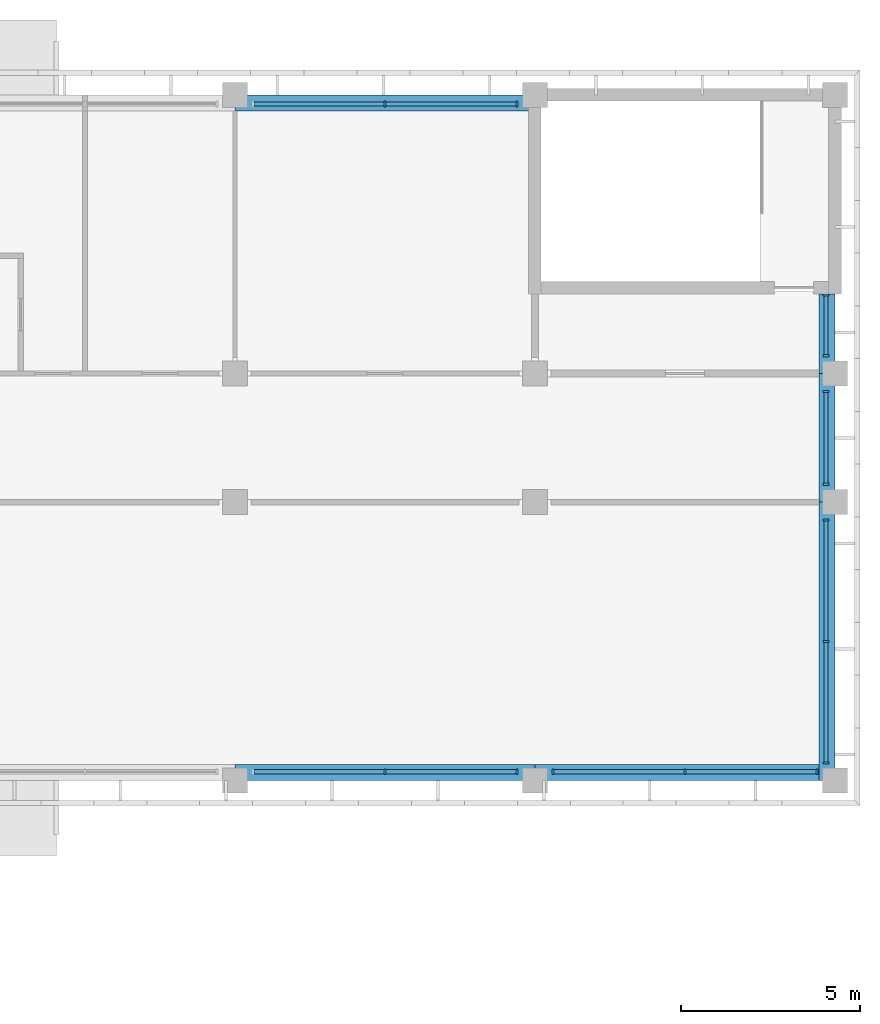
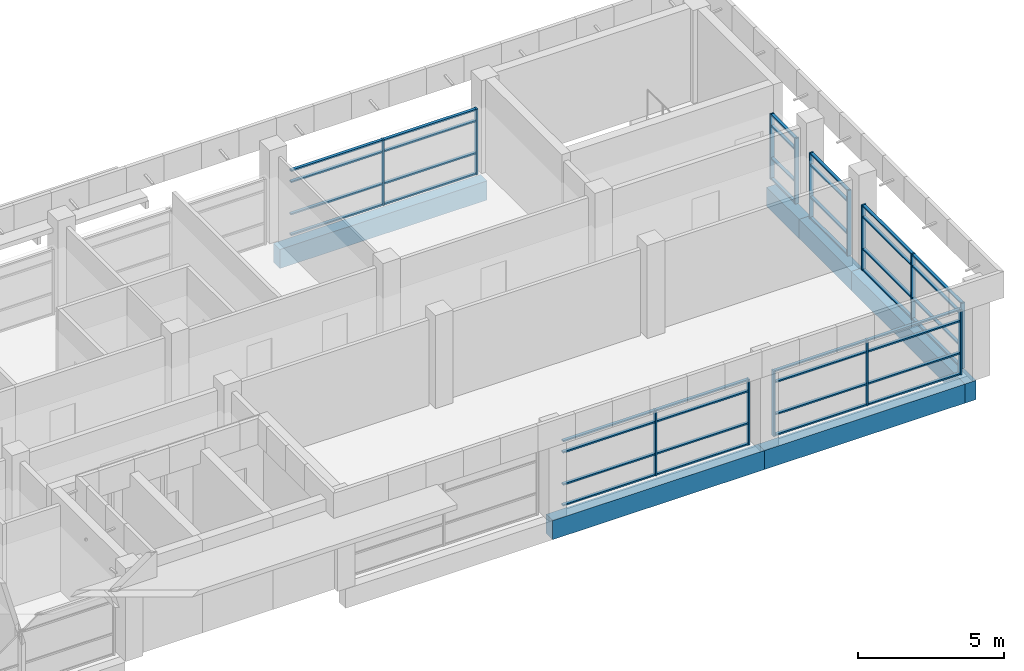
# One storey, part 10 of 36: 54 members, 6 beams, 6 elements without a shape of their own.
"""IFC4 building model written with IfcOpenShell, lengths in metres."""

from ifc_helpers import new_model, si_unit, direction, frame, origin, origin_2d, place, context, subcontext, project, spatial, rectangle, extrude, material, material_profile, profile_set, type_object, element, aggregate, save


model = new_model("IFC4")

# Units and contexts
model_context = context("Model", 3, precision=1e-05, world=origin(), true_north=direction((0.0, 1.0)))
body_context = subcontext(model_context, "Body", "Model", "MODEL_VIEW")
ifc_project = project(units=[si_unit("LENGTHUNIT", "METRE"), si_unit("AREAUNIT", "SQUARE_METRE"), si_unit("VOLUMEUNIT", "CUBIC_METRE"), si_unit("PLANEANGLEUNIT", "RADIAN"), si_unit("MASSUNIT", "GRAM", prefix="KILO")], contexts=[model_context])

# Site, building, storey
site_placement = place(None, origin())
site = spatial("IfcSite", under=ifc_project, at=site_placement, CompositionType="ELEMENT")
building_placement = place(site_placement, origin())
building = spatial("IfcBuilding", under=site, at=building_placement, Name="Bougainvillea Quay General Hospital", CompositionType="ELEMENT")
storey_placement = place(building_placement, frame((0.0, 0.0, 32.699951171875)))
storey = spatial("IfcBuildingStorey", under=building, at=storey_placement, Name="L07", CompositionType="ELEMENT", Elevation=32.699951171875)

# Curtain wall, members
ifc_material_1 = material(Name="Aluminium curtain wall system, powder-coated glazed", Category="aluminium")
curtain_wall_type_1 = type_object("IfcCurtainWallType", Name="Unitised curtain wall CW-3730", PredefinedType="NOTDEFINED", material=ifc_material_1)
curtain_wall_1_placement = place(storey_placement, origin())
curtain_wall_1 = element("IfcCurtainWall", 1, at=curtain_wall_1_placement, inside=storey, type_object=curtain_wall_type_1, Name="CW-4200 00", PredefinedType="NOTDEFINED")
ifc_material_2 = material(Name="Aluminium mullion, powder-coated charcoal", Category="aluminium")
ifc_material_profile_1 = material_profile(ifc_material_2, rectangle(XDim=0.159912109375, YDim=0.06005859375, at=origin_2d()))
ifc_profile_set_1 = profile_set([ifc_material_profile_1], Name="Aluminium mullion, powder-coated charcoal")
member_type_1 = type_object("IfcMemberType", Name="Curtain wall mullion 160x60", PredefinedType="MULLION", material=ifc_profile_set_1)
member_1_placement = place(storey_placement, frame((175.89990234375, 159.35009765625, 0.0), z_axis=(0.0, 0.0, 1.0), x_axis=(0.0, -1.0, 0.0)))
member_1 = element("IfcMember", 2, at=member_1_placement, type_object=member_type_1, Name="CW-4200 mullion 1", PredefinedType="MULLION", context=body_context, shape_type="SweptSolid", body=[
    extrude(rectangle(XDim=0.159912109375, YDim=0.06005859375, at=origin_2d()), origin(), (0.0, 0.0, 1.0), 2.75),
])
member_2_placement = place(storey_placement, frame((172.199951171875, 159.35009765625, 0.0), z_axis=(0.0, 0.0, 1.0), x_axis=(0.0, -1.0, 0.0)))
member_2 = element("IfcMember", 3, at=member_2_placement, type_object=member_type_1, Name="CW-4200 mullion 2", PredefinedType="MULLION", context=body_context, shape_type="SweptSolid", body=[
    extrude(rectangle(XDim=0.159912109375, YDim=0.06005859375, at=origin_2d()), origin(), (0.0, 0.0, 1.0), 2.75),
])

curtain_wall_2_placement = place(storey_placement, origin())
curtain_wall_2 = element("IfcCurtainWall", 4, at=curtain_wall_2_placement, inside=storey, type_object=curtain_wall_type_1, Name="CW-4200 01", PredefinedType="NOTDEFINED")
member_3_placement = place(storey_placement, frame((172.199951171875, 140.64990234375, 0.0), z_axis=(0.0, 0.0, 1.0), x_axis=(0.0, 1.0, 0.0)))
member_3 = element("IfcMember", 5, at=member_3_placement, type_object=member_type_1, Name="CW-4200 mullion 2", PredefinedType="MULLION", context=body_context, shape_type="SweptSolid", body=[
    extrude(rectangle(XDim=0.159912109375, YDim=0.06005859375, at=origin_2d()), origin(), (0.0, 0.0, 1.0), 2.75),
])
member_4_placement = place(storey_placement, frame((175.89990234375, 140.64990234375, 0.0), z_axis=(0.0, 0.0, 1.0), x_axis=(0.0, 1.0, 0.0)))
member_4 = element("IfcMember", 6, at=member_4_placement, type_object=member_type_1, Name="CW-4200 mullion 3", PredefinedType="MULLION", context=body_context, shape_type="SweptSolid", body=[
    extrude(rectangle(XDim=0.159912109375, YDim=0.06005859375, at=origin_2d()), origin(), (0.0, 0.0, 1.0), 2.75),
])

curtain_wall_3_placement = place(storey_placement, origin())
curtain_wall_3 = element("IfcCurtainWall", 7, at=curtain_wall_3_placement, inside=storey, type_object=curtain_wall_type_1, Name="CW-4200 02", PredefinedType="NOTDEFINED")
member_5_placement = place(storey_placement, frame((176.89990234375, 140.64990234375, 0.0), z_axis=(0.0, 0.0, 1.0), x_axis=(0.0, 1.0, 0.0)))
member_5 = element("IfcMember", 8, at=member_5_placement, type_object=member_type_1, Name="CW-4200 mullion 1", PredefinedType="MULLION", context=body_context, shape_type="SweptSolid", body=[
    extrude(rectangle(XDim=0.159912109375, YDim=0.06005859375, at=origin_2d()), origin(), (0.0, 0.0, 1.0), 2.75),
])
member_6_placement = place(storey_placement, frame((180.60009765625, 140.64990234375, 0.0), z_axis=(0.0, 0.0, 1.0), x_axis=(0.0, 1.0, 0.0)))
member_6 = element("IfcMember", 9, at=member_6_placement, type_object=member_type_1, Name="CW-4200 mullion 2", PredefinedType="MULLION", context=body_context, shape_type="SweptSolid", body=[
    extrude(rectangle(XDim=0.159912109375, YDim=0.06005859375, at=origin_2d()), origin(), (0.0, 0.0, 1.0), 2.75),
])
member_7_placement = place(storey_placement, frame((184.300048828125, 140.64990234375, 0.0), z_axis=(0.0, 0.0, 1.0), x_axis=(0.0, 1.0, 0.0)))
member_7 = element("IfcMember", 10, at=member_7_placement, type_object=member_type_1, Name="CW-4200 mullion 3", PredefinedType="MULLION", context=body_context, shape_type="SweptSolid", body=[
    extrude(rectangle(XDim=0.159912109375, YDim=0.06005859375, at=origin_2d()), origin(), (0.0, 0.0, 1.0), 2.75),
])

curtain_wall_type_2 = type_object("IfcCurtainWallType", Name="Unitised curtain wall CW-3430", PredefinedType="NOTDEFINED", material=ifc_material_1)
curtain_wall_4_placement = place(storey_placement, origin())
curtain_wall_4 = element("IfcCurtainWall", 11, at=curtain_wall_4_placement, inside=storey, type_object=curtain_wall_type_2, Name="CW-4200 00", PredefinedType="NOTDEFINED")
member_8_placement = place(storey_placement, frame((184.550048828125, 140.89990234375, 0.0), z_axis=(0.0, 0.0, 1.0), x_axis=(-1.0, 0.0, 0.0)))
member_8 = element("IfcMember", 12, at=member_8_placement, type_object=member_type_1, Name="CW-4200 mullion 1", PredefinedType="MULLION", context=body_context, shape_type="SweptSolid", body=[
    extrude(rectangle(XDim=0.159912109375, YDim=0.06005859375, at=origin_2d()), origin(), (0.0, 0.0, 1.0), 2.75),
])
member_9_placement = place(storey_placement, frame((184.550048828125, 144.300048828125, 0.0), z_axis=(0.0, 0.0, 1.0), x_axis=(-1.0, 0.0, 0.0)))
member_9 = element("IfcMember", 13, at=member_9_placement, type_object=member_type_1, Name="CW-4200 mullion 2", PredefinedType="MULLION", context=body_context, shape_type="SweptSolid", body=[
    extrude(rectangle(XDim=0.159912109375, YDim=0.06005859375, at=origin_2d()), origin(), (0.0, 0.0, 1.0), 2.75),
])
member_10_placement = place(storey_placement, frame((184.550048828125, 147.699951171875, 0.0), z_axis=(0.0, 0.0, 1.0), x_axis=(-1.0, 0.0, 0.0)))
member_10 = element("IfcMember", 14, at=member_10_placement, type_object=member_type_1, Name="CW-4200 mullion 3", PredefinedType="MULLION", context=body_context, shape_type="SweptSolid", body=[
    extrude(rectangle(XDim=0.159912109375, YDim=0.06005859375, at=origin_2d()), origin(), (0.0, 0.0, 1.0), 2.75),
])

curtain_wall_type_3 = type_object("IfcCurtainWallType", Name="Unitised curtain wall CW-2660", PredefinedType="NOTDEFINED", material=ifc_material_1)
curtain_wall_5_placement = place(storey_placement, origin())
curtain_wall_5 = element("IfcCurtainWall", 15, at=curtain_wall_5_placement, inside=storey, type_object=curtain_wall_type_3, Name="CW-4200 01", PredefinedType="NOTDEFINED")
member_11_placement = place(storey_placement, frame((184.550048828125, 148.699951171875, 0.0), z_axis=(0.0, 0.0, 1.0), x_axis=(-1.0, 0.0, 0.0)))
member_11 = element("IfcMember", 16, at=member_11_placement, type_object=member_type_1, Name="CW-4200 mullion 1", PredefinedType="MULLION", context=body_context, shape_type="SweptSolid", body=[
    extrude(rectangle(XDim=0.159912109375, YDim=0.06005859375, at=origin_2d()), origin(), (0.0, 0.0, 1.0), 2.75),
])
member_12_placement = place(storey_placement, frame((184.550048828125, 151.300048828125, 0.0), z_axis=(0.0, 0.0, 1.0), x_axis=(-1.0, 0.0, 0.0)))
member_12 = element("IfcMember", 17, at=member_12_placement, type_object=member_type_1, Name="CW-4200 mullion 2", PredefinedType="MULLION", context=body_context, shape_type="SweptSolid", body=[
    extrude(rectangle(XDim=0.159912109375, YDim=0.06005859375, at=origin_2d()), origin(), (0.0, 0.0, 1.0), 2.75),
])

curtain_wall_type_4 = type_object("IfcCurtainWallType", Name="Unitised curtain wall CW-1755", PredefinedType="NOTDEFINED", material=ifc_material_1)
curtain_wall_6_placement = place(storey_placement, origin())
curtain_wall_6 = element("IfcCurtainWall", 18, at=curtain_wall_6_placement, inside=storey, type_object=curtain_wall_type_4, Name="CW-4200 02", PredefinedType="NOTDEFINED")
member_13_placement = place(storey_placement, frame((184.550048828125, 152.300048828125, 0.0), z_axis=(0.0, 0.0, 1.0), x_axis=(-1.0, 0.0, 0.0)))
member_13 = element("IfcMember", 19, at=member_13_placement, type_object=member_type_1, Name="CW-4200 mullion 1", PredefinedType="MULLION", context=body_context, shape_type="SweptSolid", body=[
    extrude(rectangle(XDim=0.159912109375, YDim=0.06005859375, at=origin_2d()), origin(), (0.0, 0.0, 1.0), 2.75),
])
member_14_placement = place(storey_placement, frame((184.550048828125, 153.9951171875, 0.0), z_axis=(0.0, 0.0, 1.0), x_axis=(-1.0, 0.0, 0.0)))
member_14 = element("IfcMember", 20, at=member_14_placement, type_object=member_type_1, Name="CW-4200 mullion 2", PredefinedType="MULLION", context=body_context, shape_type="SweptSolid", body=[
    extrude(rectangle(XDim=0.159912109375, YDim=0.06005859375, at=origin_2d()), origin(), (0.0, 0.0, 1.0), 2.75),
])

# Member
ifc_material_3 = material(Name="Aluminium transom, powder-coated charcoal", Category="aluminium")
ifc_material_profile_2 = material_profile(ifc_material_3, rectangle(XDim=0.1201171875, YDim=0.06005859375, at=origin_2d()))
ifc_profile_set_2 = profile_set([ifc_material_profile_2], Name="Aluminium transom, powder-coated charcoal")
member_type_2 = type_object("IfcMemberType", Name="Curtain wall transom 120x60", PredefinedType="USERDEFINED", material=ifc_profile_set_2)
member_15_placement = place(storey_placement, frame((175.8701171875, 159.35009765625, 0.030029296875), z_axis=(-1.0, 0.0, 0.0), x_axis=(0.0, -1.0, 0.0)))
member_15 = element("IfcMember", 21, at=member_15_placement, type_object=member_type_2, Name="CW-4200 transom 1.1", ObjectType="TRANSOM", PredefinedType="USERDEFINED", context=body_context, shape_type="SweptSolid", body=[
    extrude(rectangle(XDim=0.1201171875, YDim=0.06005859375, at=origin_2d()), origin(), (0.0, 0.0, 1.0), 3.64013671875),
])

member_16_placement = place(storey_placement, frame((175.8701171875, 159.35009765625, 0.900146484375), z_axis=(-1.0, 0.0, 0.0), x_axis=(0.0, -1.0, 0.0)))
member_16 = element("IfcMember", 22, at=member_16_placement, type_object=member_type_2, Name="CW-4200 transom 1.2", ObjectType="TRANSOM", PredefinedType="USERDEFINED", context=body_context, shape_type="SweptSolid", body=[
    extrude(rectangle(XDim=0.1201171875, YDim=0.06005859375, at=origin_2d()), origin(), (0.0, 0.0, 1.0), 3.64013671875),
])

member_17_placement = place(storey_placement, frame((175.8701171875, 159.35009765625, 2.25), z_axis=(-1.0, 0.0, 0.0), x_axis=(0.0, -1.0, 0.0)))
member_17 = element("IfcMember", 23, at=member_17_placement, type_object=member_type_2, Name="CW-4200 transom 1.3", ObjectType="TRANSOM", PredefinedType="USERDEFINED", context=body_context, shape_type="SweptSolid", body=[
    extrude(rectangle(XDim=0.1201171875, YDim=0.06005859375, at=origin_2d()), origin(), (0.0, 0.0, 1.0), 3.64013671875),
])

member_18_placement = place(storey_placement, frame((175.8701171875, 159.35009765625, 2.719970703125), z_axis=(-1.0, 0.0, 0.0), x_axis=(0.0, -1.0, 0.0)))
member_18 = element("IfcMember", 24, at=member_18_placement, type_object=member_type_2, Name="CW-4200 transom 1.4", ObjectType="TRANSOM", PredefinedType="USERDEFINED", context=body_context, shape_type="SweptSolid", body=[
    extrude(rectangle(XDim=0.1201171875, YDim=0.06005859375, at=origin_2d()), origin(), (0.0, 0.0, 1.0), 3.64013671875),
])

member_19_placement = place(storey_placement, frame((172.169921875, 159.35009765625, 0.030029296875), z_axis=(-1.0, 0.0, 0.0), x_axis=(0.0, -1.0, 0.0)))
member_19 = element("IfcMember", 25, at=member_19_placement, type_object=member_type_2, Name="CW-4200 transom 2.1", ObjectType="TRANSOM", PredefinedType="USERDEFINED", context=body_context, shape_type="SweptSolid", body=[
    extrude(rectangle(XDim=0.1201171875, YDim=0.06005859375, at=origin_2d()), origin(), (0.0, 0.0, 1.0), 3.639892578125),
])

member_20_placement = place(storey_placement, frame((172.169921875, 159.35009765625, 0.900146484375), z_axis=(-1.0, 0.0, 0.0), x_axis=(0.0, -1.0, 0.0)))
member_20 = element("IfcMember", 26, at=member_20_placement, type_object=member_type_2, Name="CW-4200 transom 2.2", ObjectType="TRANSOM", PredefinedType="USERDEFINED", context=body_context, shape_type="SweptSolid", body=[
    extrude(rectangle(XDim=0.1201171875, YDim=0.06005859375, at=origin_2d()), origin(), (0.0, 0.0, 1.0), 3.639892578125),
])

member_21_placement = place(storey_placement, frame((172.169921875, 159.35009765625, 2.25), z_axis=(-1.0, 0.0, 0.0), x_axis=(0.0, -1.0, 0.0)))
member_21 = element("IfcMember", 27, at=member_21_placement, type_object=member_type_2, Name="CW-4200 transom 2.3", ObjectType="TRANSOM", PredefinedType="USERDEFINED", context=body_context, shape_type="SweptSolid", body=[
    extrude(rectangle(XDim=0.1201171875, YDim=0.06005859375, at=origin_2d()), origin(), (0.0, 0.0, 1.0), 3.639892578125),
])

member_22_placement = place(storey_placement, frame((172.169921875, 159.35009765625, 2.719970703125), z_axis=(-1.0, 0.0, 0.0), x_axis=(0.0, -1.0, 0.0)))
member_22 = element("IfcMember", 28, at=member_22_placement, type_object=member_type_2, Name="CW-4200 transom 2.4", ObjectType="TRANSOM", PredefinedType="USERDEFINED", context=body_context, shape_type="SweptSolid", body=[
    extrude(rectangle(XDim=0.1201171875, YDim=0.06005859375, at=origin_2d()), origin(), (0.0, 0.0, 1.0), 3.639892578125),
])

aggregate(curtain_wall_1, [member_1, member_2, member_15, member_16, member_17, member_18, member_19, member_20, member_21, member_22])

member_23_placement = place(storey_placement, frame((168.530029296875, 140.64990234375, 0.030029296875), z_axis=(1.0, 0.0, 0.0), x_axis=(0.0, 1.0, 0.0)))
member_23 = element("IfcMember", 29, at=member_23_placement, type_object=member_type_2, Name="CW-4200 transom 1.1", ObjectType="TRANSOM", PredefinedType="USERDEFINED", context=body_context, shape_type="SweptSolid", body=[
    extrude(rectangle(XDim=0.1201171875, YDim=0.06005859375, at=origin_2d()), origin(), (0.0, 0.0, 1.0), 3.639892578125),
])

member_24_placement = place(storey_placement, frame((168.530029296875, 140.64990234375, 0.900146484375), z_axis=(1.0, 0.0, 0.0), x_axis=(0.0, 1.0, 0.0)))
member_24 = element("IfcMember", 30, at=member_24_placement, type_object=member_type_2, Name="CW-4200 transom 1.2", ObjectType="TRANSOM", PredefinedType="USERDEFINED", context=body_context, shape_type="SweptSolid", body=[
    extrude(rectangle(XDim=0.1201171875, YDim=0.06005859375, at=origin_2d()), origin(), (0.0, 0.0, 1.0), 3.639892578125),
])

member_25_placement = place(storey_placement, frame((168.530029296875, 140.64990234375, 2.25), z_axis=(1.0, 0.0, 0.0), x_axis=(0.0, 1.0, 0.0)))
member_25 = element("IfcMember", 31, at=member_25_placement, type_object=member_type_2, Name="CW-4200 transom 1.3", ObjectType="TRANSOM", PredefinedType="USERDEFINED", context=body_context, shape_type="SweptSolid", body=[
    extrude(rectangle(XDim=0.1201171875, YDim=0.06005859375, at=origin_2d()), origin(), (0.0, 0.0, 1.0), 3.639892578125),
])

member_26_placement = place(storey_placement, frame((168.530029296875, 140.64990234375, 2.719970703125), z_axis=(1.0, 0.0, 0.0), x_axis=(0.0, 1.0, 0.0)))
member_26 = element("IfcMember", 32, at=member_26_placement, type_object=member_type_2, Name="CW-4200 transom 1.4", ObjectType="TRANSOM", PredefinedType="USERDEFINED", context=body_context, shape_type="SweptSolid", body=[
    extrude(rectangle(XDim=0.1201171875, YDim=0.06005859375, at=origin_2d()), origin(), (0.0, 0.0, 1.0), 3.639892578125),
])

member_27_placement = place(storey_placement, frame((172.22998046875, 140.64990234375, 0.030029296875), z_axis=(1.0, 0.0, 0.0), x_axis=(0.0, 1.0, 0.0)))
member_27 = element("IfcMember", 33, at=member_27_placement, type_object=member_type_2, Name="CW-4200 transom 2.1", ObjectType="TRANSOM", PredefinedType="USERDEFINED", context=body_context, shape_type="SweptSolid", body=[
    extrude(rectangle(XDim=0.1201171875, YDim=0.06005859375, at=origin_2d()), origin(), (0.0, 0.0, 1.0), 3.64013671875),
])

member_28_placement = place(storey_placement, frame((172.22998046875, 140.64990234375, 0.900146484375), z_axis=(1.0, 0.0, 0.0), x_axis=(0.0, 1.0, 0.0)))
member_28 = element("IfcMember", 34, at=member_28_placement, type_object=member_type_2, Name="CW-4200 transom 2.2", ObjectType="TRANSOM", PredefinedType="USERDEFINED", context=body_context, shape_type="SweptSolid", body=[
    extrude(rectangle(XDim=0.1201171875, YDim=0.06005859375, at=origin_2d()), origin(), (0.0, 0.0, 1.0), 3.64013671875),
])

member_29_placement = place(storey_placement, frame((172.22998046875, 140.64990234375, 2.25), z_axis=(1.0, 0.0, 0.0), x_axis=(0.0, 1.0, 0.0)))
member_29 = element("IfcMember", 35, at=member_29_placement, type_object=member_type_2, Name="CW-4200 transom 2.3", ObjectType="TRANSOM", PredefinedType="USERDEFINED", context=body_context, shape_type="SweptSolid", body=[
    extrude(rectangle(XDim=0.1201171875, YDim=0.06005859375, at=origin_2d()), origin(), (0.0, 0.0, 1.0), 3.64013671875),
])

member_30_placement = place(storey_placement, frame((172.22998046875, 140.64990234375, 2.719970703125), z_axis=(1.0, 0.0, 0.0), x_axis=(0.0, 1.0, 0.0)))
member_30 = element("IfcMember", 36, at=member_30_placement, type_object=member_type_2, Name="CW-4200 transom 2.4", ObjectType="TRANSOM", PredefinedType="USERDEFINED", context=body_context, shape_type="SweptSolid", body=[
    extrude(rectangle(XDim=0.1201171875, YDim=0.06005859375, at=origin_2d()), origin(), (0.0, 0.0, 1.0), 3.64013671875),
])

aggregate(curtain_wall_2, [member_3, member_4, member_23, member_24, member_25, member_26, member_27, member_28, member_29, member_30])

member_31_placement = place(storey_placement, frame((176.929931640625, 140.64990234375, 0.030029296875), z_axis=(1.0, 0.0, 0.0), x_axis=(0.0, 1.0, 0.0)))
member_31 = element("IfcMember", 37, at=member_31_placement, type_object=member_type_2, Name="CW-4200 transom 1.1", ObjectType="TRANSOM", PredefinedType="USERDEFINED", context=body_context, shape_type="SweptSolid", body=[
    extrude(rectangle(XDim=0.1201171875, YDim=0.06005859375, at=origin_2d()), origin(), (0.0, 0.0, 1.0), 3.64013671875),
])

member_32_placement = place(storey_placement, frame((176.929931640625, 140.64990234375, 0.900146484375), z_axis=(1.0, 0.0, 0.0), x_axis=(0.0, 1.0, 0.0)))
member_32 = element("IfcMember", 38, at=member_32_placement, type_object=member_type_2, Name="CW-4200 transom 1.2", ObjectType="TRANSOM", PredefinedType="USERDEFINED", context=body_context, shape_type="SweptSolid", body=[
    extrude(rectangle(XDim=0.1201171875, YDim=0.06005859375, at=origin_2d()), origin(), (0.0, 0.0, 1.0), 3.64013671875),
])

member_33_placement = place(storey_placement, frame((176.929931640625, 140.64990234375, 2.25), z_axis=(1.0, 0.0, 0.0), x_axis=(0.0, 1.0, 0.0)))
member_33 = element("IfcMember", 39, at=member_33_placement, type_object=member_type_2, Name="CW-4200 transom 1.3", ObjectType="TRANSOM", PredefinedType="USERDEFINED", context=body_context, shape_type="SweptSolid", body=[
    extrude(rectangle(XDim=0.1201171875, YDim=0.06005859375, at=origin_2d()), origin(), (0.0, 0.0, 1.0), 3.64013671875),
])

member_34_placement = place(storey_placement, frame((176.929931640625, 140.64990234375, 2.719970703125), z_axis=(1.0, 0.0, 0.0), x_axis=(0.0, 1.0, 0.0)))
member_34 = element("IfcMember", 40, at=member_34_placement, type_object=member_type_2, Name="CW-4200 transom 1.4", ObjectType="TRANSOM", PredefinedType="USERDEFINED", context=body_context, shape_type="SweptSolid", body=[
    extrude(rectangle(XDim=0.1201171875, YDim=0.06005859375, at=origin_2d()), origin(), (0.0, 0.0, 1.0), 3.64013671875),
])

member_35_placement = place(storey_placement, frame((180.6298828125, 140.64990234375, 0.030029296875), z_axis=(1.0, 0.0, 0.0), x_axis=(0.0, 1.0, 0.0)))
member_35 = element("IfcMember", 41, at=member_35_placement, type_object=member_type_2, Name="CW-4200 transom 2.1", ObjectType="TRANSOM", PredefinedType="USERDEFINED", context=body_context, shape_type="SweptSolid", body=[
    extrude(rectangle(XDim=0.1201171875, YDim=0.06005859375, at=origin_2d()), origin(), (0.0, 0.0, 1.0), 3.64013671875),
])

member_36_placement = place(storey_placement, frame((180.6298828125, 140.64990234375, 0.900146484375), z_axis=(1.0, 0.0, 0.0), x_axis=(0.0, 1.0, 0.0)))
member_36 = element("IfcMember", 42, at=member_36_placement, type_object=member_type_2, Name="CW-4200 transom 2.2", ObjectType="TRANSOM", PredefinedType="USERDEFINED", context=body_context, shape_type="SweptSolid", body=[
    extrude(rectangle(XDim=0.1201171875, YDim=0.06005859375, at=origin_2d()), origin(), (0.0, 0.0, 1.0), 3.64013671875),
])

member_37_placement = place(storey_placement, frame((180.6298828125, 140.64990234375, 2.25), z_axis=(1.0, 0.0, 0.0), x_axis=(0.0, 1.0, 0.0)))
member_37 = element("IfcMember", 43, at=member_37_placement, type_object=member_type_2, Name="CW-4200 transom 2.3", ObjectType="TRANSOM", PredefinedType="USERDEFINED", context=body_context, shape_type="SweptSolid", body=[
    extrude(rectangle(XDim=0.1201171875, YDim=0.06005859375, at=origin_2d()), origin(), (0.0, 0.0, 1.0), 3.64013671875),
])

member_38_placement = place(storey_placement, frame((180.6298828125, 140.64990234375, 2.719970703125), z_axis=(1.0, 0.0, 0.0), x_axis=(0.0, 1.0, 0.0)))
member_38 = element("IfcMember", 44, at=member_38_placement, type_object=member_type_2, Name="CW-4200 transom 2.4", ObjectType="TRANSOM", PredefinedType="USERDEFINED", context=body_context, shape_type="SweptSolid", body=[
    extrude(rectangle(XDim=0.1201171875, YDim=0.06005859375, at=origin_2d()), origin(), (0.0, 0.0, 1.0), 3.64013671875),
])

aggregate(curtain_wall_3, [member_5, member_6, member_7, member_31, member_32, member_33, member_34, member_35, member_36, member_37, member_38])

member_39_placement = place(storey_placement, frame((184.550048828125, 140.929931640625, 0.030029296875), z_axis=(0.0, 1.0, 0.0), x_axis=(-1.0, 0.0, 0.0)))
member_39 = element("IfcMember", 45, at=member_39_placement, type_object=member_type_2, Name="CW-4200 transom 1.1", ObjectType="TRANSOM", PredefinedType="USERDEFINED", context=body_context, shape_type="SweptSolid", body=[
    extrude(rectangle(XDim=0.1201171875, YDim=0.06005859375, at=origin_2d()), origin(), (0.0, 0.0, 1.0), 3.340087890625),
])

member_40_placement = place(storey_placement, frame((184.550048828125, 140.929931640625, 0.900146484375), z_axis=(0.0, 1.0, 0.0), x_axis=(-1.0, 0.0, 0.0)))
member_40 = element("IfcMember", 46, at=member_40_placement, type_object=member_type_2, Name="CW-4200 transom 1.2", ObjectType="TRANSOM", PredefinedType="USERDEFINED", context=body_context, shape_type="SweptSolid", body=[
    extrude(rectangle(XDim=0.1201171875, YDim=0.06005859375, at=origin_2d()), origin(), (0.0, 0.0, 1.0), 3.340087890625),
])

member_41_placement = place(storey_placement, frame((184.550048828125, 140.929931640625, 2.25), z_axis=(0.0, 1.0, 0.0), x_axis=(-1.0, 0.0, 0.0)))
member_41 = element("IfcMember", 47, at=member_41_placement, type_object=member_type_2, Name="CW-4200 transom 1.3", ObjectType="TRANSOM", PredefinedType="USERDEFINED", context=body_context, shape_type="SweptSolid", body=[
    extrude(rectangle(XDim=0.1201171875, YDim=0.06005859375, at=origin_2d()), origin(), (0.0, 0.0, 1.0), 3.340087890625),
])

member_42_placement = place(storey_placement, frame((184.550048828125, 140.929931640625, 2.719970703125), z_axis=(0.0, 1.0, 0.0), x_axis=(-1.0, 0.0, 0.0)))
member_42 = element("IfcMember", 48, at=member_42_placement, type_object=member_type_2, Name="CW-4200 transom 1.4", ObjectType="TRANSOM", PredefinedType="USERDEFINED", context=body_context, shape_type="SweptSolid", body=[
    extrude(rectangle(XDim=0.1201171875, YDim=0.06005859375, at=origin_2d()), origin(), (0.0, 0.0, 1.0), 3.340087890625),
])

member_43_placement = place(storey_placement, frame((184.550048828125, 144.330078125, 0.030029296875), z_axis=(0.0, 1.0, 0.0), x_axis=(-1.0, 0.0, 0.0)))
member_43 = element("IfcMember", 49, at=member_43_placement, type_object=member_type_2, Name="CW-4200 transom 2.1", ObjectType="TRANSOM", PredefinedType="USERDEFINED", context=body_context, shape_type="SweptSolid", body=[
    extrude(rectangle(XDim=0.1201171875, YDim=0.06005859375, at=origin_2d()), origin(), (0.0, 0.0, 1.0), 3.33984375),
])

member_44_placement = place(storey_placement, frame((184.550048828125, 144.330078125, 0.900146484375), z_axis=(0.0, 1.0, 0.0), x_axis=(-1.0, 0.0, 0.0)))
member_44 = element("IfcMember", 50, at=member_44_placement, type_object=member_type_2, Name="CW-4200 transom 2.2", ObjectType="TRANSOM", PredefinedType="USERDEFINED", context=body_context, shape_type="SweptSolid", body=[
    extrude(rectangle(XDim=0.1201171875, YDim=0.06005859375, at=origin_2d()), origin(), (0.0, 0.0, 1.0), 3.33984375),
])

member_45_placement = place(storey_placement, frame((184.550048828125, 144.330078125, 2.25), z_axis=(0.0, 1.0, 0.0), x_axis=(-1.0, 0.0, 0.0)))
member_45 = element("IfcMember", 51, at=member_45_placement, type_object=member_type_2, Name="CW-4200 transom 2.3", ObjectType="TRANSOM", PredefinedType="USERDEFINED", context=body_context, shape_type="SweptSolid", body=[
    extrude(rectangle(XDim=0.1201171875, YDim=0.06005859375, at=origin_2d()), origin(), (0.0, 0.0, 1.0), 3.33984375),
])

member_46_placement = place(storey_placement, frame((184.550048828125, 144.330078125, 2.719970703125), z_axis=(0.0, 1.0, 0.0), x_axis=(-1.0, 0.0, 0.0)))
member_46 = element("IfcMember", 52, at=member_46_placement, type_object=member_type_2, Name="CW-4200 transom 2.4", ObjectType="TRANSOM", PredefinedType="USERDEFINED", context=body_context, shape_type="SweptSolid", body=[
    extrude(rectangle(XDim=0.1201171875, YDim=0.06005859375, at=origin_2d()), origin(), (0.0, 0.0, 1.0), 3.33984375),
])

aggregate(curtain_wall_4, [member_8, member_9, member_10, member_39, member_40, member_41, member_42, member_43, member_44, member_45, member_46])

member_47_placement = place(storey_placement, frame((184.550048828125, 148.72998046875, 0.030029296875), z_axis=(0.0, 1.0, 0.0), x_axis=(-1.0, 0.0, 0.0)))
member_47 = element("IfcMember", 53, at=member_47_placement, type_object=member_type_2, Name="CW-4200 transom 1.1", ObjectType="TRANSOM", PredefinedType="USERDEFINED", context=body_context, shape_type="SweptSolid", body=[
    extrude(rectangle(XDim=0.1201171875, YDim=0.06005859375, at=origin_2d()), origin(), (0.0, 0.0, 1.0), 2.5400390625),
])

member_48_placement = place(storey_placement, frame((184.550048828125, 148.72998046875, 0.900146484375), z_axis=(0.0, 1.0, 0.0), x_axis=(-1.0, 0.0, 0.0)))
member_48 = element("IfcMember", 54, at=member_48_placement, type_object=member_type_2, Name="CW-4200 transom 1.2", ObjectType="TRANSOM", PredefinedType="USERDEFINED", context=body_context, shape_type="SweptSolid", body=[
    extrude(rectangle(XDim=0.1201171875, YDim=0.06005859375, at=origin_2d()), origin(), (0.0, 0.0, 1.0), 2.5400390625),
])

member_49_placement = place(storey_placement, frame((184.550048828125, 148.72998046875, 2.25), z_axis=(0.0, 1.0, 0.0), x_axis=(-1.0, 0.0, 0.0)))
member_49 = element("IfcMember", 55, at=member_49_placement, type_object=member_type_2, Name="CW-4200 transom 1.3", ObjectType="TRANSOM", PredefinedType="USERDEFINED", context=body_context, shape_type="SweptSolid", body=[
    extrude(rectangle(XDim=0.1201171875, YDim=0.06005859375, at=origin_2d()), origin(), (0.0, 0.0, 1.0), 2.5400390625),
])

member_50_placement = place(storey_placement, frame((184.550048828125, 148.72998046875, 2.719970703125), z_axis=(0.0, 1.0, 0.0), x_axis=(-1.0, 0.0, 0.0)))
member_50 = element("IfcMember", 56, at=member_50_placement, type_object=member_type_2, Name="CW-4200 transom 1.4", ObjectType="TRANSOM", PredefinedType="USERDEFINED", context=body_context, shape_type="SweptSolid", body=[
    extrude(rectangle(XDim=0.1201171875, YDim=0.06005859375, at=origin_2d()), origin(), (0.0, 0.0, 1.0), 2.5400390625),
])

aggregate(curtain_wall_5, [member_11, member_12, member_47, member_48, member_49, member_50])

member_51_placement = place(storey_placement, frame((184.550048828125, 152.330078125, 0.030029296875), z_axis=(0.0, 1.0, 0.0), x_axis=(-1.0, 0.0, 0.0)))
member_51 = element("IfcMember", 57, at=member_51_placement, type_object=member_type_2, Name="CW-4200 transom 1.1", ObjectType="TRANSOM", PredefinedType="USERDEFINED", context=body_context, shape_type="SweptSolid", body=[
    extrude(rectangle(XDim=0.1201171875, YDim=0.06005859375, at=origin_2d()), origin(), (0.0, 0.0, 1.0), 1.635009765625),
])

member_52_placement = place(storey_placement, frame((184.550048828125, 152.330078125, 0.900146484375), z_axis=(0.0, 1.0, 0.0), x_axis=(-1.0, 0.0, 0.0)))
member_52 = element("IfcMember", 58, at=member_52_placement, type_object=member_type_2, Name="CW-4200 transom 1.2", ObjectType="TRANSOM", PredefinedType="USERDEFINED", context=body_context, shape_type="SweptSolid", body=[
    extrude(rectangle(XDim=0.1201171875, YDim=0.06005859375, at=origin_2d()), origin(), (0.0, 0.0, 1.0), 1.635009765625),
])

member_53_placement = place(storey_placement, frame((184.550048828125, 152.330078125, 2.25), z_axis=(0.0, 1.0, 0.0), x_axis=(-1.0, 0.0, 0.0)))
member_53 = element("IfcMember", 59, at=member_53_placement, type_object=member_type_2, Name="CW-4200 transom 1.3", ObjectType="TRANSOM", PredefinedType="USERDEFINED", context=body_context, shape_type="SweptSolid", body=[
    extrude(rectangle(XDim=0.1201171875, YDim=0.06005859375, at=origin_2d()), origin(), (0.0, 0.0, 1.0), 1.635009765625),
])

member_54_placement = place(storey_placement, frame((184.550048828125, 152.330078125, 2.719970703125), z_axis=(0.0, 1.0, 0.0), x_axis=(-1.0, 0.0, 0.0)))
member_54 = element("IfcMember", 60, at=member_54_placement, type_object=member_type_2, Name="CW-4200 transom 1.4", ObjectType="TRANSOM", PredefinedType="USERDEFINED", context=body_context, shape_type="SweptSolid", body=[
    extrude(rectangle(XDim=0.1201171875, YDim=0.06005859375, at=origin_2d()), origin(), (0.0, 0.0, 1.0), 1.635009765625),
])

aggregate(curtain_wall_6, [member_13, member_14, member_51, member_52, member_53, member_54])

# Beams
ifc_material_4 = material(Name="Concrete C40", Category="concrete")
ifc_material_profile_3 = material_profile(ifc_material_4, rectangle(XDim=0.449951171875, YDim=0.800048828125, at=origin_2d()))
ifc_profile_set_3 = profile_set([ifc_material_profile_3], Name="Concrete C40")
beam_type = type_object("IfcBeamType", Name="RC BEAM 450x800 C40", PredefinedType="BEAM", material=ifc_profile_set_3)
beam_1_placement = place(storey_placement, frame((176.22509765625, 159.375, -0.699951171875), z_axis=(-1.0, 0.0, 0.0), x_axis=(0.0, -1.0, 0.0)))
element("IfcBeam", 61, at=beam_1_placement, inside=storey, type_object=beam_type, Name="Edge beam L07", PredefinedType="BEAM", context=body_context, shape_type="SweptSolid", body=[
    extrude(rectangle(XDim=0.449951171875, YDim=0.800048828125, at=origin_2d()), origin(), (0.0, 0.0, 1.0), 8.22509765625),
])
beam_2_placement = place(storey_placement, frame((168.0, 140.625, -0.699951171875), z_axis=(1.0, 0.0, 0.0), x_axis=(0.0, 1.0, 0.0)))
element("IfcBeam", 62, at=beam_2_placement, inside=storey, type_object=beam_type, Name="Edge beam L07", PredefinedType="BEAM", context=body_context, shape_type="SweptSolid", body=[
    extrude(rectangle(XDim=0.449951171875, YDim=0.800048828125, at=origin_2d()), origin(), (0.0, 0.0, 1.0), 8.39990234375),
])
beam_3_placement = place(storey_placement, frame((176.39990234375, 140.625, -0.699951171875), z_axis=(1.0, 0.0, 0.0), x_axis=(0.0, 1.0, 0.0)))
element("IfcBeam", 63, at=beam_3_placement, inside=storey, type_object=beam_type, Name="Edge beam L07", PredefinedType="BEAM", context=body_context, shape_type="SweptSolid", body=[
    extrude(rectangle(XDim=0.449951171875, YDim=0.800048828125, at=origin_2d()), origin(), (0.0, 0.0, 1.0), 8.400146484375),
])
beam_4_placement = place(storey_placement, frame((184.574951171875, 140.39990234375, -0.699951171875), z_axis=(0.0, 1.0, 0.0), x_axis=(-1.0, 0.0, 0.0)))
element("IfcBeam", 64, at=beam_4_placement, inside=storey, type_object=beam_type, Name="Edge beam L07", PredefinedType="BEAM", context=body_context, shape_type="SweptSolid", body=[
    extrude(rectangle(XDim=0.449951171875, YDim=0.800048828125, at=origin_2d()), origin(), (0.0, 0.0, 1.0), 7.800048828125),
])
beam_5_placement = place(storey_placement, frame((184.574951171875, 148.199951171875, -0.699951171875), z_axis=(0.0, 1.0, 0.0), x_axis=(-1.0, 0.0, 0.0)))
element("IfcBeam", 65, at=beam_5_placement, inside=storey, type_object=beam_type, Name="Edge beam L07", PredefinedType="BEAM", context=body_context, shape_type="SweptSolid", body=[
    extrude(rectangle(XDim=0.449951171875, YDim=0.800048828125, at=origin_2d()), origin(), (0.0, 0.0, 1.0), 3.60009765625),
])
beam_6_placement = place(storey_placement, frame((184.574951171875, 151.800048828125, -0.699951171875), z_axis=(0.0, 1.0, 0.0), x_axis=(-1.0, 0.0, 0.0)))
element("IfcBeam", 66, at=beam_6_placement, inside=storey, type_object=beam_type, Name="Edge beam L07", PredefinedType="BEAM", context=body_context, shape_type="SweptSolid", body=[
    extrude(rectangle(XDim=0.449951171875, YDim=0.800048828125, at=origin_2d()), origin(), (0.0, 0.0, 1.0), 2.224853515625),
])

save(model, "model.ifc")
